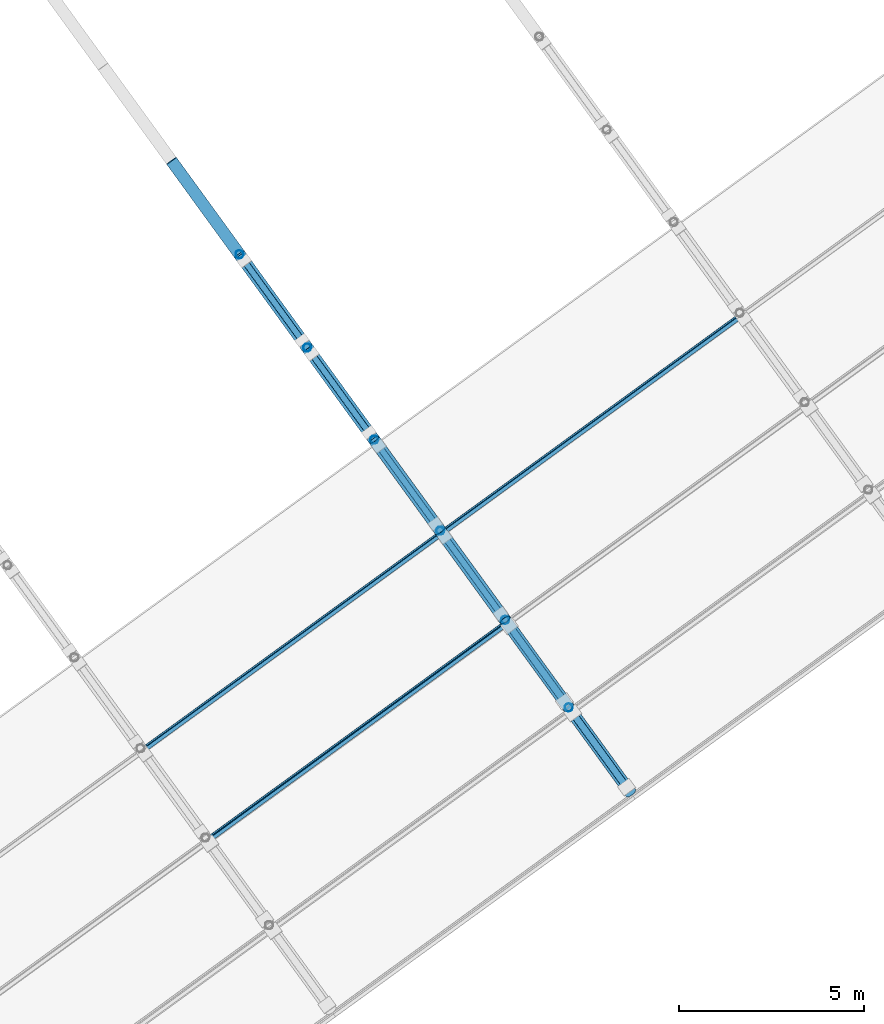
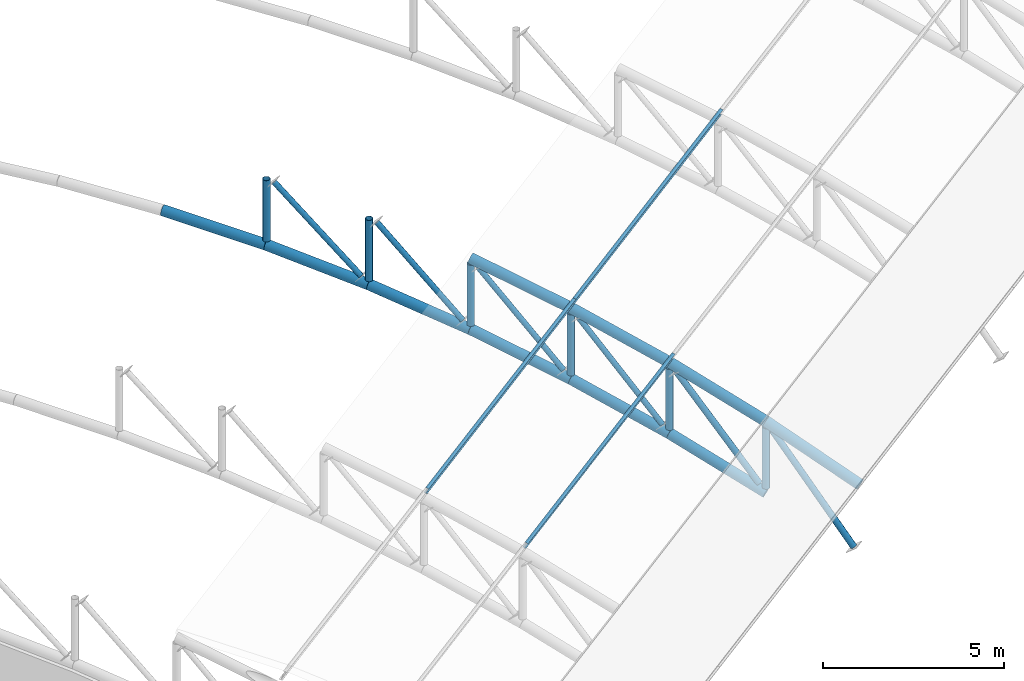
# One storey, part 18 of 69: 22 members, 3 beams.
"""IFC4 building model written with IfcOpenShell, lengths in metres."""

from ifc_helpers import new_model, si_unit, direction, frame, origin, origin_2d, place, context, subcontext, project, spatial, hollow_circle, i_section, extrude, material, material_profile, profile_set, type_object, element, save


model = new_model("IFC4")

# Units and contexts
model_context = context("Model", 3, precision=1e-05, world=origin(), true_north=direction((0.0, 1.0)))
body_context = subcontext(model_context, "Body", "Model", "MODEL_VIEW")
ifc_project = project(units=[si_unit("LENGTHUNIT", "METRE"), si_unit("AREAUNIT", "SQUARE_METRE"), si_unit("VOLUMEUNIT", "CUBIC_METRE"), si_unit("PLANEANGLEUNIT", "RADIAN"), si_unit("MASSUNIT", "GRAM", prefix="KILO")], contexts=[model_context])

# Site, building, storey
site_placement = place(None, origin())
site = spatial("IfcSite", under=ifc_project, at=site_placement, CompositionType="ELEMENT")
building_placement = place(site_placement, origin())
building = spatial("IfcBuilding", under=site, at=building_placement, Name="Okhra Congress Centre", CompositionType="ELEMENT")
storey_placement = place(building_placement, frame((0.0, 0.0, 16.800048828125)))
storey = spatial("IfcBuildingStorey", under=building, at=storey_placement, Name="L03", CompositionType="ELEMENT", Elevation=16.800048828125)

# Members
ifc_material_1 = material(Name="Steel S355J2H", Category="steel")
ifc_material_profile_1 = material_profile(ifc_material_1, hollow_circle(Radius=0.084228515625, WallThickness=0.00634765625, at=origin_2d()), Name="CHS 168.3x6.3")
ifc_profile_set_1 = profile_set([ifc_material_profile_1], Name="Steel S355J2H")
member_type_1 = type_object("IfcMemberType", Name="CHS 168.3x6.3", PredefinedType="BRACE", material=ifc_profile_set_1)
member_1_placement = place(storey_placement, frame((240.84814453125, 174.943115234375, 0.876220703125), z_axis=(-0.388372967773, 0.534433732195, 0.750697691348), x_axis=(-0.808956431788, -0.587868600513, 0.0)))
element("IfcMember", 1, at=member_1_placement, inside=storey, type_object=member_type_1, Name="Truss 3 diagonal 4", PredefinedType="BRACE", context=body_context, shape_type="SweptSolid", body=[
    extrude(hollow_circle(Radius=0.084228515625, WallThickness=0.00634765625, at=origin_2d()), origin(), (0.0, 0.0, 1.0), 3.8427734375),
])
member_2_placement = place(storey_placement, frame((239.087646484375, 177.3662109375, 1.861572265625), z_axis=(-0.403566104127, 0.555431833884, 0.727069375994), x_axis=(-0.809002272195, -0.587805515102, 0.0)))
element("IfcMember", 2, at=member_2_placement, inside=storey, type_object=member_type_1, Name="Truss 3 diagonal 5", PredefinedType="BRACE", context=body_context, shape_type="SweptSolid", body=[
    extrude(hollow_circle(Radius=0.084228515625, WallThickness=0.00634765625, at=origin_2d()), origin(), (0.0, 0.0, 1.0), 3.753662109375),
])
member_3_placement = place(storey_placement, frame((237.29541015625, 179.832763671875, 2.67236328125), z_axis=(-0.418384895313, 0.575888221671, 0.702358053641), x_axis=(-0.809031950979, -0.587764665742, 0.0)))
element("IfcMember", 3, at=member_3_placement, inside=storey, type_object=member_type_1, Name="Truss 3 diagonal 6", PredefinedType="BRACE", context=body_context, shape_type="SweptSolid", body=[
    extrude(hollow_circle(Radius=0.084228515625, WallThickness=0.00634765625, at=origin_2d()), origin(), (0.0, 0.0, 1.0), 3.658203125),
])
member_4_placement = place(storey_placement, frame((235.487548828125, 182.321044921875, 3.290283203125), z_axis=(-0.432835381478, 0.595779555186, 0.676535478865), x_axis=(-0.809032364404, -0.587764096681, 0.0)))
element("IfcMember", 4, at=member_4_placement, inside=storey, type_object=member_type_1, Name="Truss 3 diagonal 7", PredefinedType="BRACE", context=body_context, shape_type="SweptSolid", body=[
    extrude(hollow_circle(Radius=0.084228515625, WallThickness=0.00634765625, at=origin_2d()), origin(), (0.0, 0.0, 1.0), 3.579345703125),
])
ifc_material_profile_2 = material_profile(ifc_material_1, hollow_circle(Radius=0.096923828125, WallThickness=0.010009765625, at=origin_2d()), Name="CHS 193.7x10")
ifc_profile_set_2 = profile_set([ifc_material_profile_2], Name="Steel S355J2H")
member_type_2 = type_object("IfcMemberType", Name="CHS 193.7x10", PredefinedType="BRACE", material=ifc_profile_set_2)
member_5_placement = place(storey_placement, frame((244.251953125, 170.2578125, -1.60595703125), z_axis=(-0.356733759557, 0.491066127645, 0.794729565998), x_axis=(-0.809053553672, -0.587734929446, 0.0)))
element("IfcMember", 5, at=member_5_placement, inside=storey, type_object=member_type_2, Name="Truss 3 diagonal 2", PredefinedType="BRACE", context=body_context, shape_type="SweptSolid", body=[
    extrude(hollow_circle(Radius=0.096923828125, WallThickness=0.010009765625, at=origin_2d()), origin(), (0.0, 0.0, 1.0), 4.052978515625),
])
member_6_placement = place(storey_placement, frame((242.571533203125, 172.571044921875, -0.28076171875), z_axis=(-0.3727521496, 0.513012647098, 0.773223033081), x_axis=(-0.808997013889, -0.587812752089, 0.0)))
element("IfcMember", 6, at=member_6_placement, inside=storey, type_object=member_type_2, Name="Truss 3 diagonal 3", PredefinedType="BRACE", context=body_context, shape_type="SweptSolid", body=[
    extrude(hollow_circle(Radius=0.096923828125, WallThickness=0.010009765625, at=origin_2d()), origin(), (0.0, 0.0, 1.0), 3.95458984375),
])
ifc_material_profile_3 = material_profile(ifc_material_1, hollow_circle(Radius=0.109619140625, WallThickness=0.008056640625, at=origin_2d()), Name="CHS 219.1x8")
ifc_profile_set_3 = profile_set([ifc_material_profile_3], Name="Steel S355J2H")
member_type_3 = type_object("IfcMemberType", Name="CHS 219.1x8", PredefinedType="POST", material=ifc_profile_set_3)
member_7_placement = place(storey_placement, frame((242.6923828125, 172.404541015625, -0.353271484375), z_axis=(0.0, 0.0, 1.0), x_axis=(1.0, 0.0, 0.0)))
element("IfcMember", 7, at=member_7_placement, inside=storey, type_object=member_type_3, Name="Truss 3 post 2", PredefinedType="POST", context=body_context, shape_type="SweptSolid", body=[
    extrude(hollow_circle(Radius=0.109619140625, WallThickness=0.008056640625, at=origin_2d()), origin(), (0.0, 0.0, 1.0), 2.043212890625),
])
member_8_placement = place(storey_placement, frame((240.9765625, 174.766357421875, 0.80224609375), z_axis=(0.0, 0.0, 1.0), x_axis=(1.0, 0.0, 0.0)))
element("IfcMember", 8, at=member_8_placement, inside=storey, type_object=member_type_3, Name="Truss 3 post 3", PredefinedType="POST", context=body_context, shape_type="SweptSolid", body=[
    extrude(hollow_circle(Radius=0.109619140625, WallThickness=0.008056640625, at=origin_2d()), origin(), (0.0, 0.0, 1.0), 2.05126953125),
])
member_9_placement = place(storey_placement, frame((239.223876953125, 177.178466796875, 1.787109375), z_axis=(0.0, 0.0, 1.0), x_axis=(1.0, 0.0, 0.0)))
element("IfcMember", 9, at=member_9_placement, inside=storey, type_object=member_type_3, Name="Truss 3 post 4", PredefinedType="POST", context=body_context, shape_type="SweptSolid", body=[
    extrude(hollow_circle(Radius=0.109619140625, WallThickness=0.008056640625, at=origin_2d()), origin(), (0.0, 0.0, 1.0), 2.057861328125),
])
member_10_placement = place(storey_placement, frame((237.4404296875, 179.633056640625, 2.597412109375), z_axis=(0.0, 0.0, 1.0), x_axis=(1.0, 0.0, 0.0)))
element("IfcMember", 10, at=member_10_placement, inside=storey, type_object=member_type_3, Name="Truss 3 post 5", PredefinedType="POST", context=body_context, shape_type="SweptSolid", body=[
    extrude(hollow_circle(Radius=0.109619140625, WallThickness=0.008056640625, at=origin_2d()), origin(), (0.0, 0.0, 1.0), 2.063232421875),
])
member_11_placement = place(storey_placement, frame((235.63232421875, 182.121826171875, 3.230712890625), z_axis=(0.0, 0.0, 1.0), x_axis=(1.0, 0.0, 0.0)))
element("IfcMember", 11, at=member_11_placement, inside=storey, type_object=member_type_3, Name="Truss 3 post 6", PredefinedType="POST", context=body_context, shape_type="SweptSolid", body=[
    extrude(hollow_circle(Radius=0.109619140625, WallThickness=0.008056640625, at=origin_2d()), origin(), (0.0, 0.0, 1.0), 2.067138671875),
])
member_12_placement = place(storey_placement, frame((233.805419921875, 184.63623046875, 3.6845703125), z_axis=(0.0, 0.0, 1.0), x_axis=(1.0, 0.0, 0.0)))
element("IfcMember", 12, at=member_12_placement, inside=storey, type_object=member_type_3, Name="Truss 3 post 7", PredefinedType="POST", context=body_context, shape_type="SweptSolid", body=[
    extrude(hollow_circle(Radius=0.109619140625, WallThickness=0.008056640625, at=origin_2d()), origin(), (0.0, 0.0, 1.0), 2.06982421875),
])
ifc_material_profile_4 = material_profile(ifc_material_1, hollow_circle(Radius=0.161865234375, WallThickness=0.012451171875, at=origin_2d()), Name="CHS 323.9x12.5")
ifc_profile_set_4 = profile_set([ifc_material_profile_4], Name="Steel S355J2H")
member_type_4 = type_object("IfcMemberType", Name="CHS 323.9x12.5", PredefinedType="CHORD", material=ifc_profile_set_4)
for number, where, z_axis, x_axis, name in (
    (13, (244.36572265625, 170.101318359375, 0.540771484375), (-0.532714364208, 0.733240051348, 0.42258068255), (-0.809025240298, -0.587773902586, 0.0), "Truss 3 top chord 2"),
    (14, (242.6923828125, 172.404541015625, -0.53173828125), (-0.546233373681, 0.751886974528, 0.369181634175), (-0.809039757938, -0.58775391966, 0.0), "Truss 3 bottom chord 3"),
):
    element("IfcMember", number, at=place(storey_placement, frame(where, z_axis=z_axis, x_axis=x_axis)), inside=storey, type_object=member_type_4, Name=name, PredefinedType="CHORD", context=body_context, shape_type="SweptSolid", body=[
        extrude(hollow_circle(Radius=0.161865234375, WallThickness=0.012451171875, at=origin_2d()), origin(), (0.0, 0.0, 1.0), 3.14111328125),
    ])
member_13_placement = place(storey_placement, frame((242.6923828125, 172.404541015625, 1.8681640625), z_axis=(-0.546217699248, 0.751865398766, 0.369248760548), x_axis=(-0.809039757938, -0.58775391966, 0.0)))
element("IfcMember", 15, at=member_13_placement, inside=storey, type_object=member_type_4, Name="Truss 3 top chord 3", PredefinedType="CHORD", context=body_context, shape_type="SweptSolid", body=[
    extrude(hollow_circle(Radius=0.161865234375, WallThickness=0.012451171875, at=origin_2d()), origin(), (0.0, 0.0, 1.0), 3.141357421875),
])
for number, where, z_axis, x_axis, name in (
    (16, (240.9765625, 174.766357421875, 0.6279296875), (-0.557987850895, 0.767923104449, 0.314553117784), (-0.808987408201, -0.587825972012, 0.0), "Truss 3 bottom chord 4"),
    (17, (240.9765625, 174.766357421875, 3.028076171875), (-0.557987850895, 0.767923104449, 0.314553117784), (-0.808987408201, -0.587825972012, 0.0), "Truss 3 top chord 4"),
    (18, (239.223876953125, 177.178466796875, 1.615966796875), (-0.567774014658, 0.781437363911, 0.258821008735), (-0.809003930018, -0.587803233417, 0.0), "Truss 3 bottom chord 5"),
    (19, (239.223876953125, 177.178466796875, 4.01611328125), (-0.567774014658, 0.781437363911, 0.258821008735), (-0.809003930018, -0.587803233417, 0.0), "Truss 3 top chord 5"),
    (20, (237.4404296875, 179.633056640625, 2.428955078125), (-0.575620603169, 0.792313857508, 0.202236674243), (-0.80903112876, -0.587765797488, 0.0), "Truss 3 bottom chord 6"),
    (21, (235.63232421875, 182.121826171875, 3.064208984375), (-0.581594707866, 0.800460229362, 0.144951774712), (-0.809004349852, -0.587802655592, 0.0), "Truss 3 bottom chord 7"),
):
    element("IfcMember", number, at=place(storey_placement, frame(where, z_axis=z_axis, x_axis=x_axis)), inside=storey, type_object=member_type_4, Name=name, PredefinedType="CHORD", context=body_context, shape_type="SweptSolid", body=[
        extrude(hollow_circle(Radius=0.161865234375, WallThickness=0.012451171875, at=origin_2d()), origin(), (0.0, 0.0, 1.0), 3.14111328125),
    ])
member_14_placement = place(storey_placement, frame((233.805419921875, 184.63623046875, 3.51953125), z_axis=(-0.58553770002, 0.805949820707, 0.087123408777), x_axis=(-0.809026121159, -0.587772690146, 0.0)))
element("IfcMember", 22, at=member_14_placement, inside=storey, type_object=member_type_4, Name="Truss 3 bottom chord 8", PredefinedType="CHORD", context=body_context, shape_type="SweptSolid", body=[
    extrude(hollow_circle(Radius=0.161865234375, WallThickness=0.012451171875, at=origin_2d()), origin(), (0.0, 0.0, 1.0), 3.141357421875),
])

# Beams
ifc_material_2 = material(Name="Steel S355J2", Category="steel")
ifc_material_profile_5 = material_profile(ifc_material_2, i_section(OverallWidth=0.10009765625, OverallDepth=0.199951171875, WebThickness=0.005615234375, FlangeThickness=0.008544921875, FilletRadius=0.011962890625, at=origin_2d()), Name="IPE 200")
ifc_profile_set_5 = profile_set([ifc_material_profile_5], Name="Steel S355J2")
beam_type = type_object("IfcBeamType", Name="IPE 200", PredefinedType="BEAM", material=ifc_profile_set_5)
beam_1_placement = place(storey_placement, frame((232.9384765625, 168.816650390625, 3.271240234375), z_axis=(0.809010490052, 0.58779420462, 0.0), x_axis=(-0.552345876622, 0.760221187641, 0.342020143326)))
element("IfcBeam", 23, at=beam_1_placement, inside=storey, type_object=beam_type, Name="Purlin 4.20", PredefinedType="BEAM", context=body_context, shape_type="SweptSolid", body=[
    extrude(i_section(OverallWidth=0.10009765625, OverallDepth=0.199951171875, WebThickness=0.005615234375, FlangeThickness=0.008544921875, FilletRadius=0.011962890625, at=origin_2d()), origin(), (0.0, 0.0, 1.0), 10.0),
])
beam_2_placement = place(storey_placement, frame((231.17724609375, 171.240478515625, 4.26416015625), z_axis=(0.809018924928, 0.587782595105, 0.0), x_axis=(-0.563089561631, 0.775031645345, 0.286803232717)))
element("IfcBeam", 24, at=beam_2_placement, inside=storey, type_object=beam_type, Name="Purlin 5.26", PredefinedType="BEAM", context=body_context, shape_type="SweptSolid", body=[
    extrude(i_section(OverallWidth=0.10009765625, OverallDepth=0.199951171875, WebThickness=0.005615234375, FlangeThickness=0.008544921875, FilletRadius=0.011962890625, at=origin_2d()), origin(), (0.0, 0.0, 1.0), 10.000244140625),
])
beam_3_placement = place(storey_placement, frame((239.267578125, 177.118408203125, 4.26416015625), z_axis=(0.809010490052, 0.58779420462, 0.0), x_axis=(-0.563100683425, 0.775023564822, 0.286803232717)))
element("IfcBeam", 25, at=beam_3_placement, inside=storey, type_object=beam_type, Name="Purlin 5.27", PredefinedType="BEAM", context=body_context, shape_type="SweptSolid", body=[
    extrude(i_section(OverallWidth=0.10009765625, OverallDepth=0.199951171875, WebThickness=0.005615234375, FlangeThickness=0.008544921875, FilletRadius=0.011962890625, at=origin_2d()), origin(), (0.0, 0.0, 1.0), 10.0),
])

save(model, "model.ifc")
